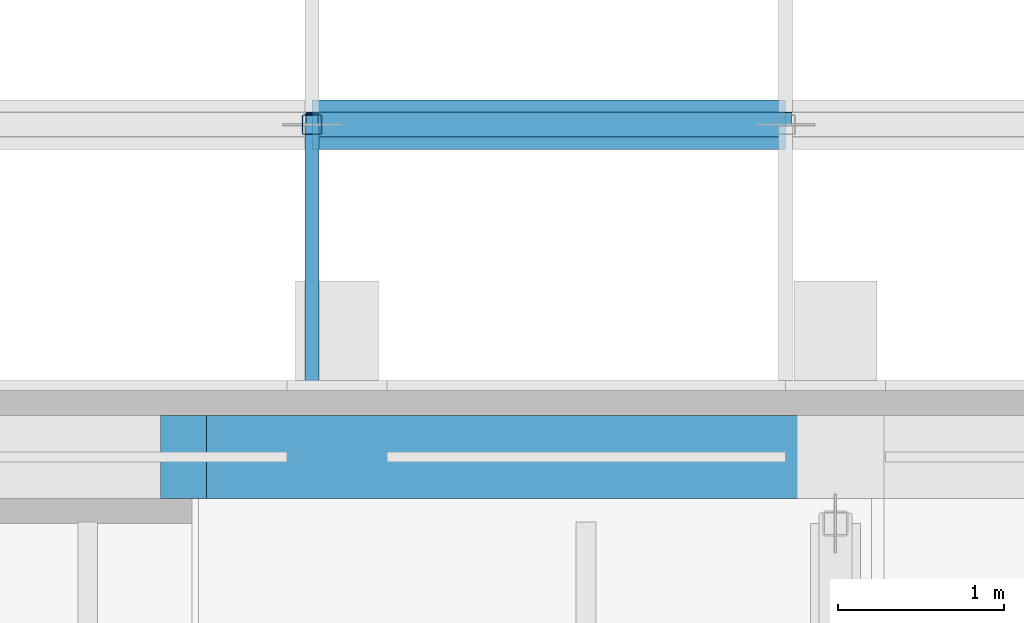
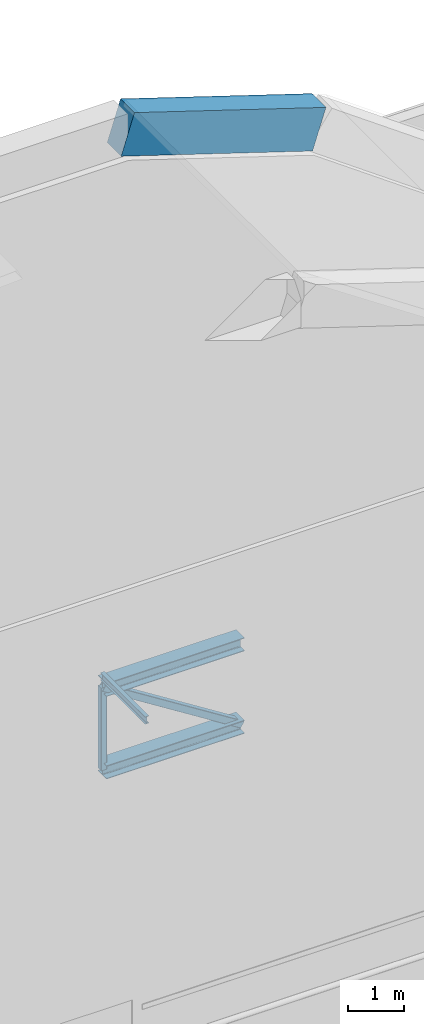
# One storey, part 36 of 55: 5 members, 1 beam.
"""IFC4 building model written with IfcOpenShell, lengths in metres."""

from ifc_helpers import new_model, si_unit, direction, frame, origin, origin_2d, place, context, subcontext, project, spatial, rectangle, hollow_rectangle, i_section, extrude, material, material_profile, profile_set, type_object, element, save


model = new_model("IFC4")

# Units and contexts
model_context = context("Model", 3, precision=1e-05, world=origin(), true_north=direction((0.0, 1.0)))
body_context = subcontext(model_context, "Body", "Model", "MODEL_VIEW")
ifc_project = project(units=[si_unit("LENGTHUNIT", "METRE"), si_unit("AREAUNIT", "SQUARE_METRE"), si_unit("VOLUMEUNIT", "CUBIC_METRE"), si_unit("PLANEANGLEUNIT", "RADIAN"), si_unit("MASSUNIT", "GRAM", prefix="KILO")], contexts=[model_context])

# Site, building, storey
site_placement = place(None, origin())
site = spatial("IfcSite", under=ifc_project, at=site_placement, CompositionType="ELEMENT")
building_placement = place(site_placement, origin())
building = spatial("IfcBuilding", under=site, at=building_placement, Name="Lunette Opera House", CompositionType="ELEMENT")
storey_placement = place(building_placement, frame((0.0, 0.0, 34.0)))
storey = spatial("IfcBuildingStorey", under=building, at=storey_placement, Name="L06", CompositionType="ELEMENT", Elevation=34.0)

# Beam
ifc_material_1 = material(Name="Concrete C40/50", Category="concrete")
ifc_material_profile_1 = material_profile(ifc_material_1, rectangle(XDim=0.5, YDim=0.89990234375, at=origin_2d()), Name="ARCH BEAM 500X900")
ifc_profile_set_1 = profile_set([ifc_material_profile_1], Name="Concrete C40/50")
beam_type = type_object("IfcBeamType", Name="ARCH BEAM 500X900", PredefinedType="BEAM", material=ifc_profile_set_1)
beam_placement = place(storey_placement, frame((98.075927734375, 120.39990234375, 19.251953125), z_axis=(0.952116578893, 0.0, -0.305735212556), x_axis=(0.0, 1.0, 0.0)))
element("IfcBeam", 1, at=beam_placement, inside=storey, type_object=beam_type, Name="beam-ST-L06-EAT5-5", PredefinedType="BEAM", context=body_context, shape_type="SweptSolid", body=[
    extrude(rectangle(XDim=0.5, YDim=0.89990234375, at=origin_2d()), origin(), (0.0, 0.0, 1.0), 4.154052734375),
])

# Members
ifc_material_2 = material(Name="Steel S355", Category="steel")
ifc_material_profile_2 = material_profile(ifc_material_2, i_section(OverallWidth=0.300048828125, OverallDepth=0.2900390625, WebThickness=0.008544921875, FlangeThickness=0.013916015625, FilletRadius=0.027099609375, at=origin_2d()), Name="HEA 300")
ifc_profile_set_2 = profile_set([ifc_material_profile_2], Name="Steel S355")
member_type_1 = type_object("IfcMemberType", Name="CHORD HEA 300", PredefinedType="CHORD", material=ifc_profile_set_2)
for number, where, z_axis, x_axis, name in (
    (2, (98.85009765625, 122.39990234375, 5.574951171875), (1.0, 0.0, 0.0), (0.0, 1.0, 0.0), "mem-ST-L06-SR-TR01-TC6"),
    (3, (98.85009765625, 122.39990234375, 3.77490234375), (1.0, 0.0, 0.0), (0.0, 1.0, 0.0), "mem-ST-L06-SR-TR01-BC6"),
):
    element("IfcMember", number, at=place(storey_placement, frame(where, z_axis=z_axis, x_axis=x_axis)), inside=storey, type_object=member_type_1, Name=name, PredefinedType="CHORD", context=body_context, shape_type="SweptSolid", body=[
        extrude(i_section(OverallWidth=0.300048828125, OverallDepth=0.2900390625, WebThickness=0.008544921875, FlangeThickness=0.013916015625, FilletRadius=0.027099609375, at=origin_2d()), origin(), (0.0, 0.0, 1.0), 2.849853515625),
    ])
ifc_material_3 = material(Name="Steel S355", Category="steel")
ifc_material_profile_3 = material_profile(ifc_material_3, hollow_rectangle(XDim=0.14990234375, YDim=0.14990234375, WallThickness=0.006103515625, InnerFilletRadius=0.006103515625, OuterFilletRadius=0.011962890625, at=origin_2d()), Name="RHS 150X150X6")
ifc_profile_set_3 = profile_set([ifc_material_profile_3], Name="Steel S355")
member_type_2 = type_object("IfcMemberType", Name="DIAGONAL RHS 150X150X6", PredefinedType="BRACE", material=ifc_profile_set_3)
member_1_placement = place(storey_placement, frame((98.85009765625, 122.39990234375, 5.574951171875), z_axis=(0.845469970423, 0.0, -0.53402296684), x_axis=(0.0, 1.0, 0.0)))
element("IfcMember", 4, at=member_1_placement, inside=storey, type_object=member_type_2, Name="mem-ST-L06-SR-TR01-TD6", PredefinedType="BRACE", context=body_context, shape_type="SweptSolid", body=[
    extrude(hollow_rectangle(XDim=0.14990234375, YDim=0.14990234375, WallThickness=0.006103515625, InnerFilletRadius=0.006103515625, OuterFilletRadius=0.011962890625, at=origin_2d()), origin(), (0.0, 0.0, 1.0), 3.370849609375),
])
ifc_material_4 = material(Name="Steel S355", Category="steel")
ifc_material_profile_4 = material_profile(ifc_material_4, i_section(OverallWidth=0.08203125, OverallDepth=0.159912109375, WebThickness=0.0048828125, FlangeThickness=0.00732421875, FilletRadius=0.009033203125, at=origin_2d()), Name="IPE 160")
ifc_profile_set_4 = profile_set([ifc_material_profile_4], Name="Steel S355")
member_type_3 = type_object("IfcMemberType", Name="PURLIN IPE 160", PredefinedType="PURLIN", material=ifc_profile_set_4)
member_2_placement = place(storey_placement, frame((98.85009765625, 120.800048828125, 5.800048828125), z_axis=(0.0, 1.0, 0.0), x_axis=(-1.0, 0.0, 0.0)))
element("IfcMember", 5, at=member_2_placement, inside=storey, type_object=member_type_3, Name="mem-ST-L06-SR-TR-PU6-1", PredefinedType="PURLIN", context=body_context, shape_type="SweptSolid", body=[
    extrude(i_section(OverallWidth=0.08203125, OverallDepth=0.159912109375, WebThickness=0.0048828125, FlangeThickness=0.00732421875, FilletRadius=0.009033203125, at=origin_2d()), origin(), (0.0, 0.0, 1.0), 1.599853515625),
])
ifc_material_5 = material(Name="Steel S355", Category="steel")
ifc_material_profile_5 = material_profile(ifc_material_5, hollow_rectangle(XDim=0.1201171875, YDim=0.1201171875, WallThickness=0.0048828125, InnerFilletRadius=0.0048828125, OuterFilletRadius=0.010009765625, at=origin_2d()), Name="RHS 120X120X5")
ifc_profile_set_5 = profile_set([ifc_material_profile_5], Name="Steel S355")
member_type_4 = type_object("IfcMemberType", Name="VERTICAL RHS 120X120X5", PredefinedType="POST", material=ifc_profile_set_5)
member_3_placement = place(storey_placement, frame((98.85009765625, 122.39990234375, 3.77490234375), z_axis=(0.0, 0.0, 1.0), x_axis=(1.0, 0.0, 0.0)))
element("IfcMember", 6, at=member_3_placement, inside=storey, type_object=member_type_4, Name="mem-ST-L06-SR-TR01-TV6", PredefinedType="POST", context=body_context, shape_type="SweptSolid", body=[
    extrude(hollow_rectangle(XDim=0.1201171875, YDim=0.1201171875, WallThickness=0.0048828125, InnerFilletRadius=0.0048828125, OuterFilletRadius=0.010009765625, at=origin_2d()), origin(), (0.0, 0.0, 1.0), 1.800048828125),
])

save(model, "model.ifc")
